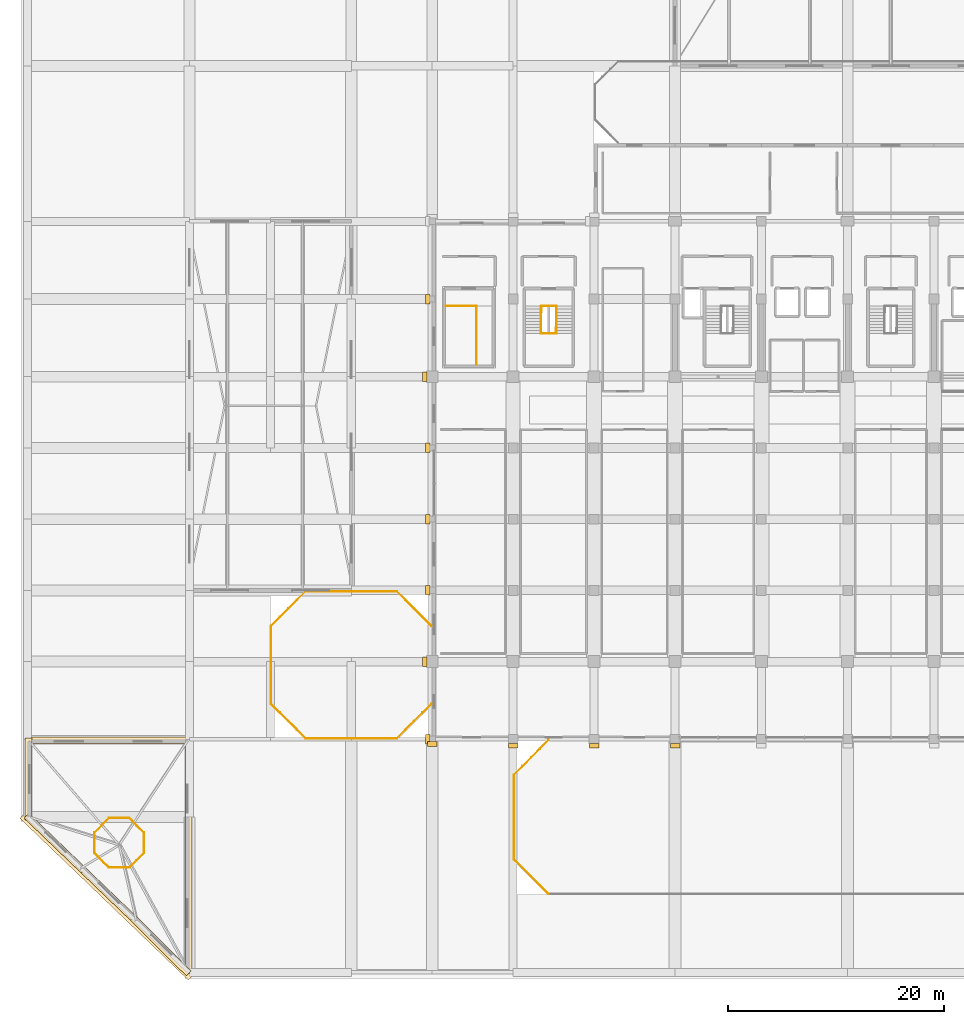
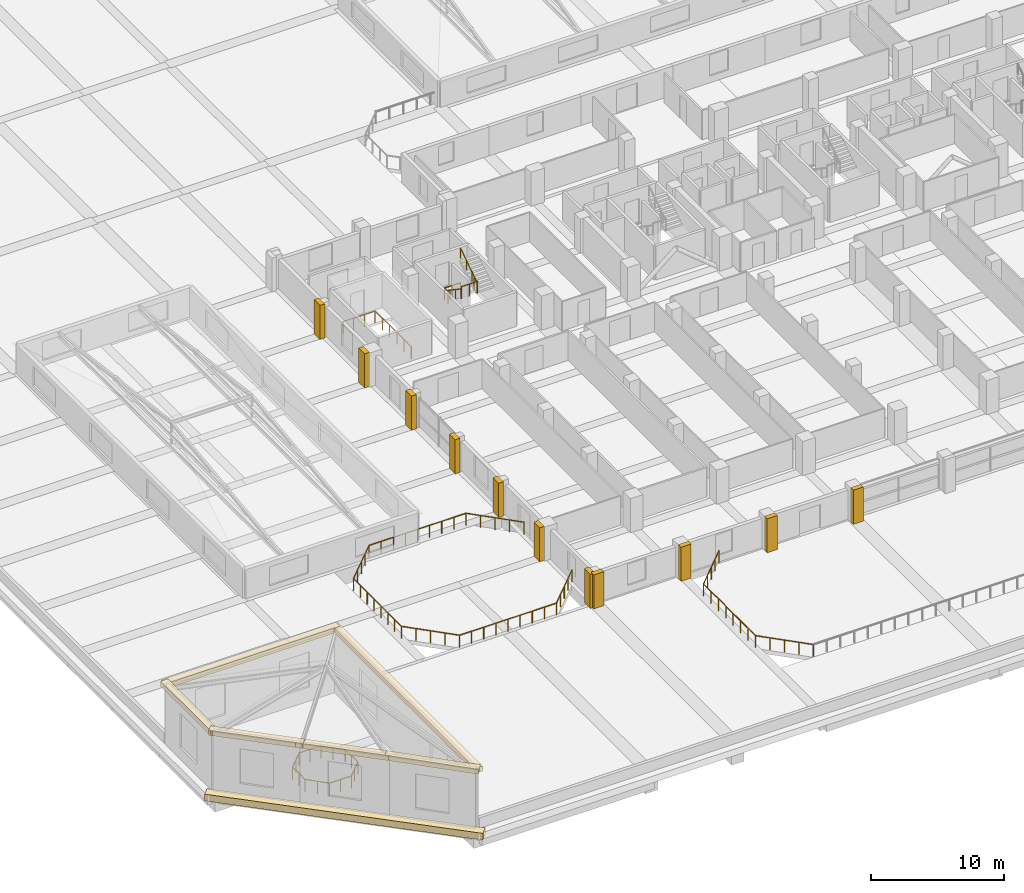
# One storey, part 45 of 49: 23 railings, 18 coverings.
"""IFC4 building model written with IfcOpenShell, lengths in metres."""

import ifcopenshell
import ifcopenshell.guid

model = None  # the IFC model being written
_history = None  # IfcOwnerHistory: only IFC2X3 demands one
_inside = {}  # id of a spatial element -> (the spatial element, [elements in it])
_under = {}  # id of a project, library or spatial element -> (it, [spatial elements below it])
_declared = {}  # id of a project -> (the project, [libraries it declares])
_typed = {}  # id of a type object -> (the type object, [elements of that type])
_made_of = {}  # id of a material, layer set ... -> (it, [elements and type objects made of it])


def new_model(schema):
    """Start an empty IFC model of exactly this schema.

    Asked for "IFC4X3", IfcOpenShell would pick the latest addendum, in which some entities
    have other attributes; the version numbers below select the first issue.
    IFC2X3 requires an IfcOwnerHistory on every rooted entity: one is made here for all.
    """
    global model, _history
    if schema == "IFC4X3":
        model = ifcopenshell.file(schema_version=(4, 3, 0, 0))
    else:
        model = ifcopenshell.file(schema=schema)
    _inside.clear()
    _under.clear()
    _declared.clear()
    _typed.clear()
    _made_of.clear()
    _history = None
    if model.schema == "IFC2X3":
        org = make("IfcOrganization", Name="unknown")
        user = make(
            "IfcPersonAndOrganization",
            ThePerson=make("IfcPerson", FamilyName="unknown"),
            TheOrganization=org,
        )
        app = make(
            "IfcApplication",
            ApplicationDeveloper=org,
            Version="unknown",
            ApplicationFullName="unknown",
            ApplicationIdentifier="unknown",
        )
        _history = make(
            "IfcOwnerHistory",
            OwningUser=user,
            OwningApplication=app,
            ChangeAction="ADDED",
            CreationDate=0,
        )
    return model


def make(cls, **values):
    """One entity of the class cls with the attributes given. An attribute that is None is left unset."""
    return model.create_entity(
        cls, **{name: value for name, value in values.items() if value is not None}
    )


def rooted(cls, **values):
    """An entity with a GlobalId (a new one), such as an element, a storey or a relation."""
    return make(cls, GlobalId=ifcopenshell.guid.new(), OwnerHistory=_history, **values)


def si_unit(unit_type, name, prefix=None):
    """IfcSIUnit, for example si_unit("LENGTHUNIT", "METRE", prefix="MILLI")."""
    return make("IfcSIUnit", UnitType=unit_type, Prefix=prefix, Name=name)


def assignment(units):
    """IfcUnitAssignment: the units of a project."""
    return None if units is None else make("IfcUnitAssignment", Units=units)


def point(xyz):
    """IfcCartesianPoint."""
    return None if xyz is None else make("IfcCartesianPoint", Coordinates=xyz)


def direction(xyz):
    """IfcDirection."""
    return None if xyz is None else make("IfcDirection", DirectionRatios=xyz)


def frame(location, z_axis=None, x_axis=None):
    """IfcAxis2Placement3D, a coordinate frame: its origin and axes. An axis left out is left unset."""
    return make(
        "IfcAxis2Placement3D",
        Location=point(location),
        Axis=direction(z_axis),
        RefDirection=direction(x_axis),
    )


def frame_2d(location, x_axis=None):
    """IfcAxis2Placement2D, a coordinate frame in the plane: its origin and x axis."""
    return make(
        "IfcAxis2Placement2D", Location=point(location), RefDirection=direction(x_axis)
    )


def origin():
    """The frame at (0, 0, 0) with its axes left unset."""
    return frame((0.0, 0.0, 0.0))


def origin_2d():
    """The frame at (0, 0) in the plane with its x axis left unset."""
    return frame_2d((0.0, 0.0))


def place(relative_to, where):
    """IfcLocalPlacement: puts the frame where relative to a parent placement (None: the world)."""
    return make(
        "IfcLocalPlacement", PlacementRelTo=relative_to, RelativePlacement=where
    )


def context(
    kind, dimensions, precision=None, world=None, true_north=None, identifier=None
):
    """IfcGeometricRepresentationContext, for example the 3D "Model" context."""
    return make(
        "IfcGeometricRepresentationContext",
        ContextIdentifier=identifier,
        ContextType=kind,
        CoordinateSpaceDimension=dimensions,
        Precision=precision,
        WorldCoordinateSystem=world,
        TrueNorth=true_north,
    )


def subcontext(parent, identifier, kind, view, scale=None):
    """IfcGeometricRepresentationSubContext, for example "Body" below "Model"."""
    return make(
        "IfcGeometricRepresentationSubContext",
        ContextIdentifier=identifier,
        ContextType=kind,
        ParentContext=parent,
        TargetScale=scale,
        TargetView=view,
    )


def project(units=None, contexts=None):
    """IfcProject with its units and contexts."""
    return rooted(
        "IfcProject",
        Name="project",
        RepresentationContexts=contexts,
        UnitsInContext=assignment(units),
    )


def spatial(cls, under=None, at=None, **own):
    """A site, building, storey or space (cls), placed at a placement, below another one or the project."""
    s = rooted(cls, ObjectPlacement=at, **own)
    if under is not None:
        _under.setdefault(under.id(), (under, []))[1].append(s)
    return s


def profile(cls, at=None, kind="AREA", **sizes):
    """A parametric profile (cls). Its sizes go by their IFC names, for example OverallWidth=200.0."""
    return make(cls, ProfileType=kind, Position=at, **sizes)


def rectangle(**sizes):
    """IfcRectangleProfileDef."""
    return profile("IfcRectangleProfileDef", **sizes)


def circle(**sizes):
    """IfcCircleProfileDef."""
    return profile("IfcCircleProfileDef", **sizes)


def extrude(swept, where, along, depth):
    """IfcExtrudedAreaSolid: the profile swept, set in the frame where, extruded along a direction by depth."""
    return make(
        "IfcExtrudedAreaSolid",
        SweptArea=swept,
        Position=where,
        ExtrudedDirection=direction(along),
        Depth=depth,
    )


def shape(context_of_items, identifier, shape_type, items):
    """IfcShapeRepresentation: the items that make up one representation, for example the "Body"."""
    return make(
        "IfcShapeRepresentation",
        ContextOfItems=context_of_items,
        RepresentationIdentifier=identifier,
        RepresentationType=shape_type,
        Items=items,
    )


def material(Name=None, Category=None):
    """IfcMaterial."""
    return make("IfcMaterial", Name=Name, Category=Category)


def layer(
    of_material, thickness, ventilated=None, Name=None, Category=None, Priority=None
):
    """IfcMaterialLayer: one layer of a wall or slab, of a material (None: an air gap)."""
    return make(
        "IfcMaterialLayer",
        Material=of_material,
        LayerThickness=thickness,
        IsVentilated=ventilated,
        Name=Name,
        Category=Category,
        Priority=Priority,
    )


def layer_set(layers, Name=None):
    """IfcMaterialLayerSet."""
    return make("IfcMaterialLayerSet", MaterialLayers=layers, LayerSetName=Name)


def made_of(thing, what):
    """Note that an element or type object is made of a material, layer set ...; save() writes the relation."""
    if what is not None:
        _made_of.setdefault(what.id(), (what, []))[1].append(thing)
    return thing


def type_object(cls, material=None, **own):
    """A type object (cls), such as IfcWallType, which elements share."""
    return made_of(rooted(cls, **own), material)


def element(
    cls,
    number,
    at=None,
    inside=None,
    cuts=None,
    type_object=None,
    material=None,
    context=None,
    identifier="Body",
    shape_type=None,
    held_by="IfcProductDefinitionShape",
    body=None,
    shapes=None,
    **own,
):
    """One element of the class cls, such as IfcWall. Its Tag is "e" and its number.

    at: its placement. inside: the storey or other place that contains it. cuts: it is an
    opening in that element (IfcRelVoidsElement). A single representation is given by context,
    identifier, shape_type and body (its items); several are given by shapes. held_by: the class
    of the entity that holds the representations. save() writes the other relations.
    """
    e = rooted(cls, Tag="e%d" % number, ObjectPlacement=at, **own)
    if body is not None:
        shapes = [shape(context, identifier, shape_type, body)]
    if shapes is not None:
        e.Representation = make(held_by, Representations=shapes)
    if inside is not None:
        _inside.setdefault(inside.id(), (inside, []))[1].append(e)
    if cuts is not None:
        rooted(
            "IfcRelVoidsElement", RelatingBuildingElement=cuts, RelatedOpeningElement=e
        )
    if type_object is not None:
        _typed.setdefault(type_object.id(), (type_object, []))[1].append(e)
    return made_of(e, material)


def aggregate(whole, parts):
    """IfcRelAggregates: a whole, such as a stair, and the parts it consists of."""
    return rooted("IfcRelAggregates", RelatingObject=whole, RelatedObjects=parts)


def save(model, path):
    """Write the relations noted so far, then the file.

    IfcRelAggregates (storeys below a building ...), IfcRelContainedInSpatialStructure (elements
    in a storey), IfcRelDefinesByType, IfcRelAssociatesMaterial and IfcRelDeclares: one each for
    every whole, place, type object, material and project.
    """
    for whole, parts in _under.values():
        aggregate(whole, parts)
    for where, things in _inside.values():
        rooted(
            "IfcRelContainedInSpatialStructure",
            RelatedElements=things,
            RelatingStructure=where,
        )
    for kind, things in _typed.values():
        rooted("IfcRelDefinesByType", RelatedObjects=things, RelatingType=kind)
    for what, things in _made_of.values():
        rooted("IfcRelAssociatesMaterial", RelatedObjects=things, RelatingMaterial=what)
    for by, libraries in _declared.values():
        rooted("IfcRelDeclares", RelatingContext=by, RelatedDefinitions=libraries)
    model.write(path)


model = new_model("IFC4")

# Units and contexts
model_context = context("Model", 3, precision=1e-05, world=origin(), true_north=direction((0.0, 1.0)))
body_context = subcontext(model_context, "Body", "Model", "MODEL_VIEW")
ifc_project = project(units=[si_unit("LENGTHUNIT", "METRE"), si_unit("AREAUNIT", "SQUARE_METRE"), si_unit("VOLUMEUNIT", "CUBIC_METRE"), si_unit("PLANEANGLEUNIT", "RADIAN"), si_unit("MASSUNIT", "GRAM", prefix="KILO")], contexts=[model_context])

# Site, building, storey
site_placement = place(None, origin())
site = spatial("IfcSite", under=ifc_project, at=site_placement, CompositionType="ELEMENT")
building_placement = place(site_placement, origin())
building = spatial("IfcBuilding", under=site, at=building_placement, Name="Akrevak Sports Hall", CompositionType="ELEMENT")
storey_placement = place(building_placement, frame((0.0, 0.0, 24.14990234375)))
storey = spatial("IfcBuildingStorey", under=building, at=storey_placement, Name="L04", CompositionType="ELEMENT", Elevation=24.14990234375)

# Coverings
ifc_material_1 = material(Name="Limestone Ashlar", Category="stone")
ifc_layer_1 = layer(ifc_material_1, 0.6201171875, Name="Limestone Ashlar")
ifc_layer_set_1 = layer_set([ifc_layer_1], Name="Limestone Ashlar")
covering_type_1 = type_object("IfcCoveringType", Name="ARC-COV-CRN-LIM", PredefinedType="MOLDING", material=ifc_layer_set_1)
covering_1_placement = place(storey_placement, frame((7.361572265625, 7.0556640625, -0.3798828125), z_axis=(0.0, 0.0, 1.0), x_axis=(0.721385636978, -0.692533582407, 0.0)))
element("IfcCovering", 1, at=covering_1_placement, inside=storey, type_object=covering_type_1, Name="Podium Classical Limestone Cornice L04-ENT-05", PredefinedType="MOLDING", context=body_context, shape_type="SweptSolid", body=[
    extrude(rectangle(XDim=21.60498046875, YDim=0.760009765625, at=origin_2d()), origin(), (0.0, 0.0, 1.0), 0.6201171875),
])
covering_2_placement = place(storey_placement, frame((14.909912109375, 10.800048828125, 5.5), z_axis=(0.0, 0.0, 1.0), x_axis=(0.0, 1.0, 0.0)))
element("IfcCovering", 2, at=covering_2_placement, inside=storey, type_object=covering_type_1, Name="Rotunda Drum Classical Stone Cornice ROT-DRUM-01", PredefinedType="MOLDING", context=body_context, shape_type="SweptSolid", body=[
    extrude(rectangle(XDim=21.80810546875, YDim=0.639892578125, at=origin_2d()), origin(), (0.0, 0.0, 1.0), 0.4599609375),
])
covering_3_placement = place(storey_placement, frame((7.5, 21.510009765625, 5.5), z_axis=(0.0, 0.0, 1.0), x_axis=(-1.0, 0.0, 0.0)))
element("IfcCovering", 3, at=covering_3_placement, inside=storey, type_object=covering_type_1, Name="Rotunda Drum Classical Stone Cornice ROT-DRUM-02", PredefinedType="MOLDING", context=body_context, shape_type="SweptSolid", body=[
    extrude(rectangle(XDim=15.2080078125, YDim=0.639892578125, at=origin_2d()), origin(), (0.0, 0.0, 1.0), 0.4599609375),
])
covering_4_placement = place(storey_placement, frame((0.090087890625, 17.905029296875, 5.5), z_axis=(0.0, 0.0, 1.0), x_axis=(0.0, -1.0, 0.0)))
element("IfcCovering", 4, at=covering_4_placement, inside=storey, type_object=covering_type_1, Name="Rotunda Drum Classical Stone Cornice ROT-DRUM-03", PredefinedType="MOLDING", context=body_context, shape_type="SweptSolid", body=[
    extrude(rectangle(XDim=7.597900390625, YDim=0.639892578125, at=origin_2d()), origin(), (0.0, 0.0, 1.0), 0.4599609375),
])
covering_5_placement = place(storey_placement, frame((2.55078125, 11.992919921875, 5.5), z_axis=(0.0, 0.0, 1.0), x_axis=(0.72105920813, -0.692873450473, 0.0)))
element("IfcCovering", 5, at=covering_5_placement, inside=storey, type_object=covering_type_1, Name="Rotunda Drum Classical Stone Cornice ROT-DRUM-04", PredefinedType="MOLDING", context=body_context, shape_type="SweptSolid", body=[
    extrude(rectangle(XDim=7.327880859375, YDim=0.639892578125, at=origin_2d()), origin(), (0.0, 0.0, 1.0), 0.4599609375),
])
covering_6_placement = place(storey_placement, frame((7.480712890625, 7.2578125, 5.5), z_axis=(0.0, 0.0, 1.0), x_axis=(0.721385636978, -0.692533582407, 0.0)))
element("IfcCovering", 6, at=covering_6_placement, inside=storey, type_object=covering_type_1, Name="Rotunda Drum Classical Stone Cornice ROT-DRUM-05", PredefinedType="MOLDING", context=body_context, shape_type="SweptSolid", body=[
    extrude(rectangle(XDim=7.51904296875, YDim=0.639892578125, at=origin_2d()), origin(), (0.0, 0.0, 1.0), 0.4599609375),
])
covering_7_placement = place(storey_placement, frame((12.359375, 2.489013671875, 5.5), z_axis=(0.0, 0.0, 1.0), x_axis=(0.708598505584, -0.705611903162, 0.0)))
element("IfcCovering", 7, at=covering_7_placement, inside=storey, type_object=covering_type_1, Name="Rotunda Drum Classical Stone Cornice ROT-DRUM-06", PredefinedType="MOLDING", context=body_context, shape_type="SweptSolid", body=[
    extrude(rectangle(XDim=7.305908203125, YDim=0.639892578125, at=origin_2d()), origin(), (0.0, 0.0, 1.0), 0.4599609375),
])
ifc_layer_2 = layer(ifc_material_1, 0.47998046875, Name="Limestone Ashlar")
ifc_layer_set_2 = layer_set([ifc_layer_2], Name="Limestone Ashlar")
covering_type_2 = type_object("IfcCoveringType", Name="ARC-COV-PIL-LIM", PredefinedType="CLADDING", material=ifc_layer_set_2)
for number, where, z_axis, x_axis, name in (
    (8, (37.5, 21.169921875, 0.0), (0.0, 0.0, 1.0), (1.0, 0.0, 0.0), "Giant-Order Limestone Pilaster L04-01-01"),
    (9, (45.0, 21.02001953125, 0.0), (0.0, 0.0, 1.0), (1.0, 0.0, 0.0), "Giant-Order Limestone Pilaster L04-01-02"),
    (10, (52.5, 21.02001953125, 0.0), (0.0, 0.0, 1.0), (1.0, 0.0, 0.0), "Giant-Order Limestone Pilaster L04-01-03"),
    (11, (60.0, 21.02001953125, 0.0), (0.0, 0.0, 1.0), (1.0, 0.0, 0.0), "Giant-Order Limestone Pilaster L04-01-04"),
    (12, (37.070068359375, 21.60009765625, 0.0), (0.0, 0.0, 1.0), (0.0, -1.0, 0.0), "Giant-Order Limestone Pilaster L04-08-22"),
    (13, (36.820068359375, 28.800048828125, 0.0), (0.0, 0.0, 1.0), (0.0, -1.0, 0.0), "Giant-Order Limestone Pilaster L04-08-23"),
    (14, (37.070068359375, 35.39990234375, 0.0), (0.0, 0.0, 1.0), (0.0, -1.0, 0.0), "Giant-Order Limestone Pilaster L04-08-24"),
    (15, (37.094970703125, 42.0, 0.0), (0.0, 0.0, 1.0), (0.0, -1.0, 0.0), "Giant-Order Limestone Pilaster L04-08-25"),
    (16, (37.094970703125, 48.60009765625, 0.0), (0.0, 0.0, 1.0), (0.0, -1.0, 0.0), "Giant-Order Limestone Pilaster L04-08-26"),
    (17, (36.820068359375, 55.199951171875, 0.0), (0.0, 0.0, 1.0), (0.0, -1.0, 0.0), "Giant-Order Limestone Pilaster L04-08-27"),
    (18, (37.094970703125, 62.39990234375, 0.0), (0.0, 0.0, 1.0), (0.0, -1.0, 0.0), "Giant-Order Limestone Pilaster L04-08-28"),
):
    element("IfcCovering", number, at=place(storey_placement, frame(where, z_axis=z_axis, x_axis=x_axis)), inside=storey, type_object=covering_type_2, Name=name, PredefinedType="CLADDING", context=body_context, shape_type="SweptSolid", body=[
        extrude(rectangle(XDim=0.8798828125, YDim=0.419921875, at=origin_2d()), origin(), (0.0, 0.0, 1.0), 3.139892578125),
    ])

# Railings
ifc_material_2 = material(Name="Limestone Ashlar & Bronze Cap", Category="stone")
ifc_layer_3 = layer(ifc_material_2, 0.139892578125, Name="Limestone Ashlar & Bronze Cap")
ifc_layer_set_3 = layer_set([ifc_layer_3], Name="Limestone Ashlar & Bronze Cap")
railing_type_1 = type_object("IfcRailingType", Name="ARC-RL-BAL-1120", PredefinedType="BALUSTRADE", material=ifc_layer_set_3)
railing_1_placement = place(storey_placement, frame((25.780029296875, 21.679931640625, 0.0)))
element("IfcRailing", 19, at=railing_1_placement, inside=storey, type_object=railing_type_1, Name="Terrace Perimeter Balustrade L04-1.1", PredefinedType="BALUSTRADE", context=body_context, shape_type="SweptSolid", body=[
    extrude(circle(Radius=0.02392578125, at=origin_2d()), frame((0.0, 0.0, 1.09619140625), z_axis=(1.0, 0.0, 0.0), x_axis=(0.0, 1.0, 0.0)), (0.0, 0.0, 1.0), 8.43994140625),
    extrude(circle(Radius=0.02099609375, at=origin_2d()), origin(), (0.0, 0.0, 1.0), 1.072021484375),
    extrude(circle(Radius=0.02099609375, at=origin_2d()), frame((1.054931640625, 0.0, 0.0)), (0.0, 0.0, 1.0), 1.072021484375),
    extrude(circle(Radius=0.02099609375, at=origin_2d()), frame((2.10986328125, 0.0, 0.0)), (0.0, 0.0, 1.0), 1.072021484375),
    extrude(circle(Radius=0.02099609375, at=origin_2d()), frame((3.1650390625, 0.0, 0.0)), (0.0, 0.0, 1.0), 1.072021484375),
    extrude(circle(Radius=0.02099609375, at=origin_2d()), frame((4.219970703125, 0.0, 0.0)), (0.0, 0.0, 1.0), 1.072021484375),
    extrude(circle(Radius=0.02099609375, at=origin_2d()), frame((5.27490234375, 0.0, 0.0)), (0.0, 0.0, 1.0), 1.072021484375),
    extrude(circle(Radius=0.02099609375, at=origin_2d()), frame((6.330078125, 0.0, 0.0)), (0.0, 0.0, 1.0), 1.072021484375),
    extrude(circle(Radius=0.02099609375, at=origin_2d()), frame((7.385009765625, 0.0, 0.0)), (0.0, 0.0, 1.0), 1.072021484375),
    extrude(circle(Radius=0.02099609375, at=origin_2d()), frame((8.43994140625, 0.0, 0.0)), (0.0, 0.0, 1.0), 1.072021484375),
])
railing_2_placement = place(storey_placement, frame((34.219970703125, 21.679931640625, 0.0)))
element("IfcRailing", 20, at=railing_2_placement, inside=storey, type_object=railing_type_1, Name="Terrace Perimeter Balustrade L04-1.2", PredefinedType="BALUSTRADE", context=body_context, shape_type="SweptSolid", body=[
    extrude(circle(Radius=0.02392578125, at=origin_2d()), frame((0.0, 0.0, 1.09619140625), z_axis=(0.707106781187, 0.707106781187, 0.0), x_axis=(-0.707106781187, 0.707106781187, 0.0)), (0.0, 0.0, 1.0), 4.525390625),
    extrude(circle(Radius=0.02099609375, at=origin_2d()), origin(), (0.0, 0.0, 1.0), 1.072021484375),
    extrude(circle(Radius=0.02099609375, at=origin_2d()), frame((0.800048828125, 0.800048828125, 0.0)), (0.0, 0.0, 1.0), 1.072021484375),
    extrude(circle(Radius=0.02099609375, at=origin_2d()), frame((1.60009765625, 1.60009765625, 0.0)), (0.0, 0.0, 1.0), 1.072021484375),
    extrude(circle(Radius=0.02099609375, at=origin_2d()), frame((2.39990234375, 2.39990234375, 0.0)), (0.0, 0.0, 1.0), 1.072021484375),
    extrude(circle(Radius=0.02099609375, at=origin_2d()), frame((3.199951171875, 3.199951171875, 0.0)), (0.0, 0.0, 1.0), 1.072021484375),
])
railing_3_placement = place(storey_placement, frame((37.419921875, 32.1201171875, 0.0)))
element("IfcRailing", 21, at=railing_3_placement, inside=storey, type_object=railing_type_1, Name="Terrace Perimeter Balustrade L04-1.4", PredefinedType="BALUSTRADE", context=body_context, shape_type="SweptSolid", body=[
    extrude(circle(Radius=0.02392578125, at=origin_2d()), frame((0.0, 0.0, 1.09619140625), z_axis=(-0.707106781187, 0.707106781187, 0.0), x_axis=(-0.707106781187, -0.707106781187, 0.0)), (0.0, 0.0, 1.0), 4.525390625),
    extrude(circle(Radius=0.02099609375, at=origin_2d()), origin(), (0.0, 0.0, 1.0), 1.072021484375),
    extrude(circle(Radius=0.02099609375, at=origin_2d()), frame((-0.800048828125, 0.800048828125, 0.0)), (0.0, 0.0, 1.0), 1.072021484375),
    extrude(circle(Radius=0.02099609375, at=origin_2d()), frame((-1.60009765625, 1.60009765625, 0.0)), (0.0, 0.0, 1.0), 1.072021484375),
    extrude(circle(Radius=0.02099609375, at=origin_2d()), frame((-2.39990234375, 2.39990234375, 0.0)), (0.0, 0.0, 1.0), 1.072021484375),
    extrude(circle(Radius=0.02099609375, at=origin_2d()), frame((-3.199951171875, 3.199951171875, 0.0)), (0.0, 0.0, 1.0), 1.072021484375),
])
railing_4_placement = place(storey_placement, frame((34.219970703125, 35.320068359375, 0.0)))
element("IfcRailing", 22, at=railing_4_placement, inside=storey, type_object=railing_type_1, Name="Terrace Perimeter Balustrade L04-1.5", PredefinedType="BALUSTRADE", context=body_context, shape_type="SweptSolid", body=[
    extrude(circle(Radius=0.02392578125, at=origin_2d()), frame((0.0, 0.0, 1.09619140625), z_axis=(-1.0, 0.0, 0.0), x_axis=(0.0, -1.0, 0.0)), (0.0, 0.0, 1.0), 8.43994140625),
    extrude(circle(Radius=0.02099609375, at=origin_2d()), origin(), (0.0, 0.0, 1.0), 1.072021484375),
    extrude(circle(Radius=0.02099609375, at=origin_2d()), frame((-1.054931640625, 0.0, 0.0)), (0.0, 0.0, 1.0), 1.072021484375),
    extrude(circle(Radius=0.02099609375, at=origin_2d()), frame((-2.10986328125, 0.0, 0.0)), (0.0, 0.0, 1.0), 1.072021484375),
    extrude(circle(Radius=0.02099609375, at=origin_2d()), frame((-3.1650390625, 0.0, 0.0)), (0.0, 0.0, 1.0), 1.072021484375),
    extrude(circle(Radius=0.02099609375, at=origin_2d()), frame((-4.219970703125, 0.0, 0.0)), (0.0, 0.0, 1.0), 1.072021484375),
    extrude(circle(Radius=0.02099609375, at=origin_2d()), frame((-5.27490234375, 0.0, 0.0)), (0.0, 0.0, 1.0), 1.072021484375),
    extrude(circle(Radius=0.02099609375, at=origin_2d()), frame((-6.330078125, 0.0, 0.0)), (0.0, 0.0, 1.0), 1.072021484375),
    extrude(circle(Radius=0.02099609375, at=origin_2d()), frame((-7.385009765625, 0.0, 0.0)), (0.0, 0.0, 1.0), 1.072021484375),
    extrude(circle(Radius=0.02099609375, at=origin_2d()), frame((-8.43994140625, 0.0, 0.0)), (0.0, 0.0, 1.0), 1.072021484375),
])
railing_5_placement = place(storey_placement, frame((25.780029296875, 35.320068359375, 0.0)))
element("IfcRailing", 23, at=railing_5_placement, inside=storey, type_object=railing_type_1, Name="Terrace Perimeter Balustrade L04-1.6", PredefinedType="BALUSTRADE", context=body_context, shape_type="SweptSolid", body=[
    extrude(circle(Radius=0.02392578125, at=origin_2d()), frame((0.0, 0.0, 1.09619140625), z_axis=(-0.707106781187, -0.707106781187, 0.0), x_axis=(0.707106781187, -0.707106781187, 0.0)), (0.0, 0.0, 1.0), 4.525390625),
    extrude(circle(Radius=0.02099609375, at=origin_2d()), origin(), (0.0, 0.0, 1.0), 1.072021484375),
    extrude(circle(Radius=0.02099609375, at=origin_2d()), frame((-0.800048828125, -0.800048828125, 0.0)), (0.0, 0.0, 1.0), 1.072021484375),
    extrude(circle(Radius=0.02099609375, at=origin_2d()), frame((-1.60009765625, -1.60009765625, 0.0)), (0.0, 0.0, 1.0), 1.072021484375),
    extrude(circle(Radius=0.02099609375, at=origin_2d()), frame((-2.39990234375, -2.39990234375, 0.0)), (0.0, 0.0, 1.0), 1.072021484375),
    extrude(circle(Radius=0.02099609375, at=origin_2d()), frame((-3.199951171875, -3.199951171875, 0.0)), (0.0, 0.0, 1.0), 1.072021484375),
])
railing_6_placement = place(storey_placement, frame((22.580078125, 32.1201171875, 0.0)))
element("IfcRailing", 24, at=railing_6_placement, inside=storey, type_object=railing_type_1, Name="Terrace Perimeter Balustrade L04-1.7", PredefinedType="BALUSTRADE", context=body_context, shape_type="SweptSolid", body=[
    extrude(circle(Radius=0.02392578125, at=origin_2d()), frame((0.0, 0.0, 1.09619140625), z_axis=(0.0, -1.0, 0.0), x_axis=(1.0, 0.0, 0.0)), (0.0, 0.0, 1.0), 7.240234375),
    extrude(circle(Radius=0.02099609375, at=origin_2d()), origin(), (0.0, 0.0, 1.0), 1.072021484375),
    extrude(circle(Radius=0.02099609375, at=origin_2d()), frame((0.0, -1.034423828125, 0.0)), (0.0, 0.0, 1.0), 1.072021484375),
    extrude(circle(Radius=0.02099609375, at=origin_2d()), frame((0.0, -2.068603515625, 0.0)), (0.0, 0.0, 1.0), 1.072021484375),
    extrude(circle(Radius=0.02099609375, at=origin_2d()), frame((0.0, -3.10302734375, 0.0)), (0.0, 0.0, 1.0), 1.072021484375),
    extrude(circle(Radius=0.02099609375, at=origin_2d()), frame((0.0, -4.13720703125, 0.0)), (0.0, 0.0, 1.0), 1.072021484375),
    extrude(circle(Radius=0.02099609375, at=origin_2d()), frame((0.0, -5.171630859375, 0.0)), (0.0, 0.0, 1.0), 1.072021484375),
    extrude(circle(Radius=0.02099609375, at=origin_2d()), frame((0.0, -6.205810546875, 0.0)), (0.0, 0.0, 1.0), 1.072021484375),
    extrude(circle(Radius=0.02099609375, at=origin_2d()), frame((0.0, -7.240234375, 0.0)), (0.0, 0.0, 1.0), 1.072021484375),
])
railing_7_placement = place(storey_placement, frame((22.580078125, 24.8798828125, 0.0)))
element("IfcRailing", 25, at=railing_7_placement, inside=storey, type_object=railing_type_1, Name="Terrace Perimeter Balustrade L04-1.8", PredefinedType="BALUSTRADE", context=body_context, shape_type="SweptSolid", body=[
    extrude(circle(Radius=0.02392578125, at=origin_2d()), frame((0.0, 0.0, 1.09619140625), z_axis=(0.707106781187, -0.707106781187, 0.0), x_axis=(0.707106781187, 0.707106781187, 0.0)), (0.0, 0.0, 1.0), 4.525390625),
    extrude(circle(Radius=0.02099609375, at=origin_2d()), origin(), (0.0, 0.0, 1.0), 1.072021484375),
    extrude(circle(Radius=0.02099609375, at=origin_2d()), frame((0.800048828125, -0.800048828125, 0.0)), (0.0, 0.0, 1.0), 1.072021484375),
    extrude(circle(Radius=0.02099609375, at=origin_2d()), frame((1.60009765625, -1.60009765625, 0.0)), (0.0, 0.0, 1.0), 1.072021484375),
    extrude(circle(Radius=0.02099609375, at=origin_2d()), frame((2.39990234375, -2.39990234375, 0.0)), (0.0, 0.0, 1.0), 1.072021484375),
    extrude(circle(Radius=0.02099609375, at=origin_2d()), frame((3.199951171875, -3.199951171875, 0.0)), (0.0, 0.0, 1.0), 1.072021484375),
])
railing_8_placement = place(storey_placement, frame((48.280029296875, 21.52001953125, 0.0)))
element("IfcRailing", 26, at=railing_8_placement, inside=storey, type_object=railing_type_1, Name="Terrace Perimeter Balustrade L04-3.6", PredefinedType="BALUSTRADE", context=body_context, shape_type="SweptSolid", body=[
    extrude(circle(Radius=0.02392578125, at=origin_2d()), frame((0.0, 0.0, 1.09619140625), z_axis=(-0.707106781187, -0.707106781187, 0.0), x_axis=(0.707106781187, -0.707106781187, 0.0)), (0.0, 0.0, 1.0), 4.525390625),
    extrude(circle(Radius=0.02099609375, at=origin_2d()), origin(), (0.0, 0.0, 1.0), 1.072021484375),
    extrude(circle(Radius=0.02099609375, at=origin_2d()), frame((-0.800048828125, -0.800048828125, 0.0)), (0.0, 0.0, 1.0), 1.072021484375),
    extrude(circle(Radius=0.02099609375, at=origin_2d()), frame((-1.60009765625, -1.60009765625, 0.0)), (0.0, 0.0, 1.0), 1.072021484375),
    extrude(circle(Radius=0.02099609375, at=origin_2d()), frame((-2.39990234375, -2.39990234375, 0.0)), (0.0, 0.0, 1.0), 1.072021484375),
    extrude(circle(Radius=0.02099609375, at=origin_2d()), frame((-3.199951171875, -3.199951171875, 0.0)), (0.0, 0.0, 1.0), 1.072021484375),
])
railing_9_placement = place(storey_placement, frame((45.080078125, 18.320068359375, 0.0)))
element("IfcRailing", 27, at=railing_9_placement, inside=storey, type_object=railing_type_1, Name="Terrace Perimeter Balustrade L04-3.7", PredefinedType="BALUSTRADE", context=body_context, shape_type="SweptSolid", body=[
    extrude(circle(Radius=0.02392578125, at=origin_2d()), frame((0.0, 0.0, 1.09619140625), z_axis=(0.0, -1.0, 0.0), x_axis=(1.0, 0.0, 0.0)), (0.0, 0.0, 1.0), 7.840087890625),
    extrude(circle(Radius=0.02099609375, at=origin_2d()), origin(), (0.0, 0.0, 1.0), 1.072021484375),
    extrude(circle(Radius=0.02099609375, at=origin_2d()), frame((0.0, -1.1201171875, 0.0)), (0.0, 0.0, 1.0), 1.072021484375),
    extrude(circle(Radius=0.02099609375, at=origin_2d()), frame((0.0, -2.239990234375, 0.0)), (0.0, 0.0, 1.0), 1.072021484375),
    extrude(circle(Radius=0.02099609375, at=origin_2d()), frame((0.0, -3.360107421875, 0.0)), (0.0, 0.0, 1.0), 1.072021484375),
    extrude(circle(Radius=0.02099609375, at=origin_2d()), frame((0.0, -4.47998046875, 0.0)), (0.0, 0.0, 1.0), 1.072021484375),
    extrude(circle(Radius=0.02099609375, at=origin_2d()), frame((0.0, -5.60009765625, 0.0)), (0.0, 0.0, 1.0), 1.072021484375),
    extrude(circle(Radius=0.02099609375, at=origin_2d()), frame((0.0, -6.719970703125, 0.0)), (0.0, 0.0, 1.0), 1.072021484375),
    extrude(circle(Radius=0.02099609375, at=origin_2d()), frame((0.0, -7.840087890625, 0.0)), (0.0, 0.0, 1.0), 1.072021484375),
])
railing_10_placement = place(storey_placement, frame((45.080078125, 10.47998046875, 0.0)))
element("IfcRailing", 28, at=railing_10_placement, inside=storey, type_object=railing_type_1, Name="Terrace Perimeter Balustrade L04-3.8", PredefinedType="BALUSTRADE", context=body_context, shape_type="SweptSolid", body=[
    extrude(circle(Radius=0.02392578125, at=origin_2d()), frame((0.0, 0.0, 1.09619140625), z_axis=(0.707106781187, -0.707106781187, 0.0), x_axis=(0.707106781187, 0.707106781187, 0.0)), (0.0, 0.0, 1.0), 4.525390625),
    extrude(circle(Radius=0.02099609375, at=origin_2d()), origin(), (0.0, 0.0, 1.0), 1.072021484375),
    extrude(circle(Radius=0.02099609375, at=origin_2d()), frame((0.800048828125, -0.800048828125, 0.0)), (0.0, 0.0, 1.0), 1.072021484375),
    extrude(circle(Radius=0.02099609375, at=origin_2d()), frame((1.60009765625, -1.60009765625, 0.0)), (0.0, 0.0, 1.0), 1.072021484375),
    extrude(circle(Radius=0.02099609375, at=origin_2d()), frame((2.39990234375, -2.39990234375, 0.0)), (0.0, 0.0, 1.0), 1.072021484375),
    extrude(circle(Radius=0.02099609375, at=origin_2d()), frame((3.199951171875, -3.199951171875, 0.0)), (0.0, 0.0, 1.0), 1.072021484375),
])
ifc_material_3 = material(Name="Painted Architectural Balustrade Steel", Category="steel")
ifc_layer_4 = layer(ifc_material_3, 0.06005859375, Name="Painted Architectural Balustrade Steel")
ifc_layer_set_4 = layer_set([ifc_layer_4], Name="Painted Architectural Balustrade Steel")
railing_type_2 = type_object("IfcRailingType", Name="ARC-RL-GRD-1120", PredefinedType="GUARDRAIL", material=ifc_layer_set_4)
railing_11_placement = place(storey_placement, frame((47.6201171875, 61.215087890625, 0.0)))
element("IfcRailing", 29, at=railing_11_placement, inside=storey, type_object=railing_type_2, Name="Stair Floor Landing Well Guard ST4 (L04)", PredefinedType="GUARDRAIL", context=body_context, shape_type="SweptSolid", body=[
    extrude(circle(Radius=0.02392578125, at=origin_2d()), frame((0.0, 0.0, 1.09619140625), z_axis=(0.0, 1.0, 0.0), x_axis=(-1.0, 0.0, 0.0)), (0.0, 0.0, 1.0), 0.5498046875),
    extrude(circle(Radius=0.02392578125, at=origin_2d()), frame((0.0, 0.5498046875, 1.09619140625), z_axis=(1.0, 0.0, 0.0), x_axis=(0.0, 1.0, 0.0)), (0.0, 0.0, 1.0), 1.389892578125),
    extrude(circle(Radius=0.02099609375, at=origin_2d()), origin(), (0.0, 0.0, 1.0), 1.072021484375),
    extrude(circle(Radius=0.02099609375, at=origin_2d()), frame((0.0, 0.5498046875, 0.0)), (0.0, 0.0, 1.0), 1.072021484375),
    extrude(circle(Radius=0.02099609375, at=origin_2d()), frame((0.69482421875, 0.5498046875, 0.0)), (0.0, 0.0, 1.0), 1.072021484375),
    extrude(circle(Radius=0.02099609375, at=origin_2d()), frame((1.389892578125, 0.5498046875, 0.0)), (0.0, 0.0, 1.0), 1.072021484375),
])
railing_12_placement = place(storey_placement, frame((47.590087890625, 59.18505859375, 1.7001953125)))
element("IfcRailing", 30, at=railing_12_placement, inside=storey, type_object=railing_type_2, Name="Stair Landing Well Guard ST4-L04-1", PredefinedType="GUARDRAIL", context=body_context, shape_type="SweptSolid", body=[
    extrude(circle(Radius=0.02392578125, at=origin_2d()), frame((0.0, 0.0, 1.09619140625), z_axis=(1.0, 0.0, 0.0), x_axis=(0.0, 1.0, 0.0)), (0.0, 0.0, 1.0), 1.389892578125),
    extrude(circle(Radius=0.02392578125, at=origin_2d()), frame((1.389892578125, 0.0, 1.09619140625), z_axis=(0.0, 1.0, 0.0), x_axis=(-1.0, 0.0, 0.0)), (0.0, 0.0, 1.0), 0.52001953125),
    extrude(circle(Radius=0.02099609375, at=origin_2d()), origin(), (0.0, 0.0, 1.0), 1.072021484375),
    extrude(circle(Radius=0.02099609375, at=origin_2d()), frame((0.69482421875, 0.0, 0.0)), (0.0, 0.0, 1.0), 1.072021484375),
    extrude(circle(Radius=0.02099609375, at=origin_2d()), frame((1.389892578125, 0.0, 0.0)), (0.0, 0.0, 1.0), 1.072021484375),
    extrude(circle(Radius=0.02099609375, at=origin_2d()), frame((1.389892578125, 0.52001953125, 0.0)), (0.0, 0.0, 1.0), 1.072021484375),
])
railing_13_placement = place(storey_placement, frame((38.77001953125, 61.77490234375, 0.0)))
element("IfcRailing", 31, at=railing_13_placement, inside=storey, type_object=railing_type_2, Name="Top Stairwell Guardrail ST9 (L04)", PredefinedType="GUARDRAIL", context=body_context, shape_type="SweptSolid", body=[
    extrude(circle(Radius=0.02392578125, at=origin_2d()), frame((0.0, 0.0, 1.09619140625), z_axis=(1.0, 0.0, 0.0), x_axis=(0.0, 1.0, 0.0)), (0.0, 0.0, 1.0), 2.820068359375),
    extrude(circle(Radius=0.02392578125, at=origin_2d()), frame((2.820068359375, 0.0, 1.09619140625), z_axis=(0.0, -1.0, 0.0), x_axis=(1.0, 0.0, 0.0)), (0.0, 0.0, 1.0), 5.434814453125),
    extrude(circle(Radius=0.02099609375, at=origin_2d()), origin(), (0.0, 0.0, 1.0), 1.072021484375),
    extrude(circle(Radius=0.02099609375, at=origin_2d()), frame((0.93994140625, 0.0, 0.0)), (0.0, 0.0, 1.0), 1.072021484375),
    extrude(circle(Radius=0.02099609375, at=origin_2d()), frame((1.880126953125, 0.0, 0.0)), (0.0, 0.0, 1.0), 1.072021484375),
    extrude(circle(Radius=0.02099609375, at=origin_2d()), frame((2.820068359375, 0.0, 0.0)), (0.0, 0.0, 1.0), 1.072021484375),
    extrude(circle(Radius=0.02099609375, at=origin_2d()), frame((2.820068359375, -1.0869140625, 0.0)), (0.0, 0.0, 1.0), 1.072021484375),
    extrude(circle(Radius=0.02099609375, at=origin_2d()), frame((2.820068359375, -2.173828125, 0.0)), (0.0, 0.0, 1.0), 1.072021484375),
    extrude(circle(Radius=0.02099609375, at=origin_2d()), frame((2.820068359375, -3.260986328125, 0.0)), (0.0, 0.0, 1.0), 1.072021484375),
    extrude(circle(Radius=0.02099609375, at=origin_2d()), frame((2.820068359375, -4.347900390625, 0.0)), (0.0, 0.0, 1.0), 1.072021484375),
    extrude(circle(Radius=0.02099609375, at=origin_2d()), frame((2.820068359375, -5.434814453125, 0.0)), (0.0, 0.0, 1.0), 1.072021484375),
])
ifc_material_4 = material(Name="Anodized Bronze Aluminium & Laminated Glass", Category="aluminium")
ifc_layer_5 = layer(ifc_material_4, 0.080078125, Name="Anodized Bronze Aluminium & Laminated Glass")
ifc_layer_set_5 = layer_set([ifc_layer_5], Name="Anodized Bronze Aluminium & Laminated Glass")
railing_type_3 = type_object("IfcRailingType", Name="ARC-RL-GRD-1150", PredefinedType="GUARDRAIL", material=ifc_layer_set_5)
railing_14_placement = place(storey_placement, frame((10.791259765625, 12.94921875, 0.0)))
element("IfcRailing", 32, at=railing_14_placement, inside=storey, type_object=railing_type_3, Name="Rotunda Oculus Guardrail 1", PredefinedType="GUARDRAIL", context=body_context, shape_type="SweptSolid", body=[
    extrude(circle(Radius=0.02392578125, at=origin_2d()), frame((0.0, 0.0, 1.1259765625), z_axis=(-0.707106781187, 0.707106781187, 0.0), x_axis=(-0.707106781187, -0.707106781187, 0.0)), (0.0, 0.0, 1.0), 1.89794921875),
    extrude(circle(Radius=0.02099609375, at=origin_2d()), origin(), (0.0, 0.0, 1.0), 1.101806640625),
    extrude(circle(Radius=0.02099609375, at=origin_2d()), frame((-0.6708984375, 0.6708984375, 0.0)), (0.0, 0.0, 1.0), 1.101806640625),
    extrude(circle(Radius=0.02099609375, at=origin_2d()), frame((-1.342041015625, 1.342041015625, 0.0)), (0.0, 0.0, 1.0), 1.101806640625),
])
railing_15_placement = place(storey_placement, frame((9.44921875, 14.291259765625, 0.0)))
element("IfcRailing", 33, at=railing_15_placement, inside=storey, type_object=railing_type_3, Name="Rotunda Oculus Guardrail 2", PredefinedType="GUARDRAIL", context=body_context, shape_type="SweptSolid", body=[
    extrude(circle(Radius=0.02392578125, at=origin_2d()), frame((0.0, 0.0, 1.1259765625), z_axis=(-1.0, 0.0, 0.0), x_axis=(0.0, -1.0, 0.0)), (0.0, 0.0, 1.0), 1.8984375),
    extrude(circle(Radius=0.02099609375, at=origin_2d()), origin(), (0.0, 0.0, 1.0), 1.101806640625),
    extrude(circle(Radius=0.02099609375, at=origin_2d()), frame((-0.94921875, 0.0, 0.0)), (0.0, 0.0, 1.0), 1.101806640625),
    extrude(circle(Radius=0.02099609375, at=origin_2d()), frame((-1.8984375, 0.0, 0.0)), (0.0, 0.0, 1.0), 1.101806640625),
])
railing_16_placement = place(storey_placement, frame((7.55078125, 14.291259765625, 0.0)))
element("IfcRailing", 34, at=railing_16_placement, inside=storey, type_object=railing_type_3, Name="Rotunda Oculus Guardrail 3", PredefinedType="GUARDRAIL", context=body_context, shape_type="SweptSolid", body=[
    extrude(circle(Radius=0.02392578125, at=origin_2d()), frame((0.0, 0.0, 1.1259765625), z_axis=(-0.707106781187, -0.707106781187, 0.0), x_axis=(0.707106781187, -0.707106781187, 0.0)), (0.0, 0.0, 1.0), 1.89794921875),
    extrude(circle(Radius=0.02099609375, at=origin_2d()), origin(), (0.0, 0.0, 1.0), 1.101806640625),
    extrude(circle(Radius=0.02099609375, at=origin_2d()), frame((-0.6708984375, -0.6708984375, 0.0)), (0.0, 0.0, 1.0), 1.101806640625),
    extrude(circle(Radius=0.02099609375, at=origin_2d()), frame((-1.342041015625, -1.342041015625, 0.0)), (0.0, 0.0, 1.0), 1.101806640625),
])
railing_17_placement = place(storey_placement, frame((6.208740234375, 12.94921875, 0.0)))
element("IfcRailing", 35, at=railing_17_placement, inside=storey, type_object=railing_type_3, Name="Rotunda Oculus Guardrail 4", PredefinedType="GUARDRAIL", context=body_context, shape_type="SweptSolid", body=[
    extrude(circle(Radius=0.02392578125, at=origin_2d()), frame((0.0, 0.0, 1.1259765625), z_axis=(0.0, -1.0, 0.0), x_axis=(1.0, 0.0, 0.0)), (0.0, 0.0, 1.0), 1.8984375),
    extrude(circle(Radius=0.02099609375, at=origin_2d()), origin(), (0.0, 0.0, 1.0), 1.101806640625),
    extrude(circle(Radius=0.02099609375, at=origin_2d()), frame((0.0, -0.94921875, 0.0)), (0.0, 0.0, 1.0), 1.101806640625),
    extrude(circle(Radius=0.02099609375, at=origin_2d()), frame((0.0, -1.8984375, 0.0)), (0.0, 0.0, 1.0), 1.101806640625),
])
railing_18_placement = place(storey_placement, frame((6.208740234375, 11.05078125, 0.0)))
element("IfcRailing", 36, at=railing_18_placement, inside=storey, type_object=railing_type_3, Name="Rotunda Oculus Guardrail 5", PredefinedType="GUARDRAIL", context=body_context, shape_type="SweptSolid", body=[
    extrude(circle(Radius=0.02392578125, at=origin_2d()), frame((0.0, 0.0, 1.1259765625), z_axis=(0.707106781187, -0.707106781187, 0.0), x_axis=(0.707106781187, 0.707106781187, 0.0)), (0.0, 0.0, 1.0), 1.89794921875),
    extrude(circle(Radius=0.02099609375, at=origin_2d()), origin(), (0.0, 0.0, 1.0), 1.101806640625),
    extrude(circle(Radius=0.02099609375, at=origin_2d()), frame((0.6708984375, -0.6708984375, 0.0)), (0.0, 0.0, 1.0), 1.101806640625),
    extrude(circle(Radius=0.02099609375, at=origin_2d()), frame((1.342041015625, -1.342041015625, 0.0)), (0.0, 0.0, 1.0), 1.101806640625),
])
railing_19_placement = place(storey_placement, frame((7.55078125, 9.708740234375, 0.0)))
element("IfcRailing", 37, at=railing_19_placement, inside=storey, type_object=railing_type_3, Name="Rotunda Oculus Guardrail 6", PredefinedType="GUARDRAIL", context=body_context, shape_type="SweptSolid", body=[
    extrude(circle(Radius=0.02392578125, at=origin_2d()), frame((0.0, 0.0, 1.1259765625), z_axis=(1.0, 0.0, 0.0), x_axis=(0.0, 1.0, 0.0)), (0.0, 0.0, 1.0), 1.8984375),
    extrude(circle(Radius=0.02099609375, at=origin_2d()), origin(), (0.0, 0.0, 1.0), 1.101806640625),
    extrude(circle(Radius=0.02099609375, at=origin_2d()), frame((0.94921875, 0.0, 0.0)), (0.0, 0.0, 1.0), 1.101806640625),
    extrude(circle(Radius=0.02099609375, at=origin_2d()), frame((1.8984375, 0.0, 0.0)), (0.0, 0.0, 1.0), 1.101806640625),
])
railing_20_placement = place(storey_placement, frame((9.44921875, 9.708740234375, 0.0)))
element("IfcRailing", 38, at=railing_20_placement, inside=storey, type_object=railing_type_3, Name="Rotunda Oculus Guardrail 7", PredefinedType="GUARDRAIL", context=body_context, shape_type="SweptSolid", body=[
    extrude(circle(Radius=0.02392578125, at=origin_2d()), frame((0.0, 0.0, 1.1259765625), z_axis=(0.707106781187, 0.707106781187, 0.0), x_axis=(-0.707106781187, 0.707106781187, 0.0)), (0.0, 0.0, 1.0), 1.89794921875),
    extrude(circle(Radius=0.02099609375, at=origin_2d()), origin(), (0.0, 0.0, 1.0), 1.101806640625),
    extrude(circle(Radius=0.02099609375, at=origin_2d()), frame((0.6708984375, 0.6708984375, 0.0)), (0.0, 0.0, 1.0), 1.101806640625),
    extrude(circle(Radius=0.02099609375, at=origin_2d()), frame((1.342041015625, 1.342041015625, 0.0)), (0.0, 0.0, 1.0), 1.101806640625),
])
railing_21_placement = place(storey_placement, frame((10.791259765625, 11.05078125, 0.0)))
element("IfcRailing", 39, at=railing_21_placement, inside=storey, type_object=railing_type_3, Name="Rotunda Oculus Guardrail 8", PredefinedType="GUARDRAIL", context=body_context, shape_type="SweptSolid", body=[
    extrude(circle(Radius=0.02392578125, at=origin_2d()), frame((0.0, 0.0, 1.1259765625), z_axis=(0.0, 1.0, 0.0), x_axis=(-1.0, 0.0, 0.0)), (0.0, 0.0, 1.0), 1.8984375),
    extrude(circle(Radius=0.02099609375, at=origin_2d()), origin(), (0.0, 0.0, 1.0), 1.101806640625),
    extrude(circle(Radius=0.02099609375, at=origin_2d()), frame((0.0, 0.94921875, 0.0)), (0.0, 0.0, 1.0), 1.101806640625),
    extrude(circle(Radius=0.02099609375, at=origin_2d()), frame((0.0, 1.8984375, 0.0)), (0.0, 0.0, 1.0), 1.101806640625),
])
ifc_material_5 = material(Name="Brushed Stainless Steel 304", Category="steel")
ifc_layer_6 = layer(ifc_material_5, 0.050048828125, Name="Brushed Stainless Steel 304")
ifc_layer_set_6 = layer_set([ifc_layer_6], Name="Brushed Stainless Steel 304")
railing_type_4 = type_object("IfcRailingType", Name="ARC-RL-HND-900", PredefinedType="HANDRAIL", material=ifc_layer_set_6)
railing_22_placement = place(storey_placement, frame((47.590087890625, 61.735107421875, 0.0)))
element("IfcRailing", 40, at=railing_22_placement, inside=storey, type_object=railing_type_4, Name="Stair Handrail ST4-L04-F1", PredefinedType="HANDRAIL", context=body_context, shape_type="SweptSolid", body=[
    extrude(circle(Radius=0.02392578125, at=origin_2d()), frame((0.0, 0.0, 0.8759765625), z_axis=(0.0, -0.828973413598, 0.559288011267), x_axis=(1.0, 0.0, 0.0)), (0.0, 0.0, 1.0), 3.0400390625),
    extrude(circle(Radius=0.02099609375, at=origin_2d()), origin(), (0.0, 0.0, 1.0), 0.851806640625),
    extrude(circle(Radius=0.02099609375, at=origin_2d()), frame((0.0, -0.840087890625, 0.566650390625)), (0.0, 0.0, 1.0), 0.851806640625),
    extrude(circle(Radius=0.02099609375, at=origin_2d()), frame((0.0, -1.679931640625, 1.133544921875)), (0.0, 0.0, 1.0), 0.851806640625),
    extrude(circle(Radius=0.02099609375, at=origin_2d()), frame((0.0, -2.52001953125, 1.7001953125)), (0.0, 0.0, 1.0), 0.851806640625),
])
railing_23_placement = place(storey_placement, frame((49.010009765625, 59.215087890625, 1.7001953125)))
element("IfcRailing", 41, at=railing_23_placement, inside=storey, type_object=railing_type_4, Name="Stair Handrail ST4-L04-F2", PredefinedType="HANDRAIL", context=body_context, shape_type="SweptSolid", body=[
    extrude(circle(Radius=0.02392578125, at=origin_2d()), frame((0.0, 0.0, 0.8759765625), z_axis=(0.0, 0.829010648562, 0.559232817859), x_axis=(-1.0, 0.0, 0.0)), (0.0, 0.0, 1.0), 3.039794921875),
    extrude(circle(Radius=0.02099609375, at=origin_2d()), origin(), (0.0, 0.0, 1.0), 0.851806640625),
    extrude(circle(Radius=0.02099609375, at=origin_2d()), frame((0.0, 0.840087890625, 0.566650390625)), (0.0, 0.0, 1.0), 0.851806640625),
    extrude(circle(Radius=0.02099609375, at=origin_2d()), frame((0.0, 1.679931640625, 1.13330078125)), (0.0, 0.0, 1.0), 0.851806640625),
    extrude(circle(Radius=0.02099609375, at=origin_2d()), frame((0.0, 2.52001953125, 1.699951171875)), (0.0, 0.0, 1.0), 0.851806640625),
])

save(model, "model.ifc")
